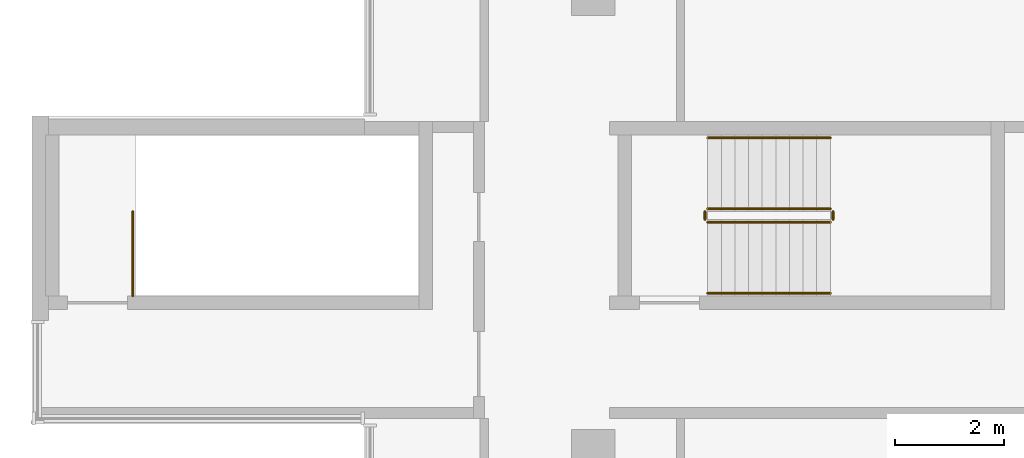
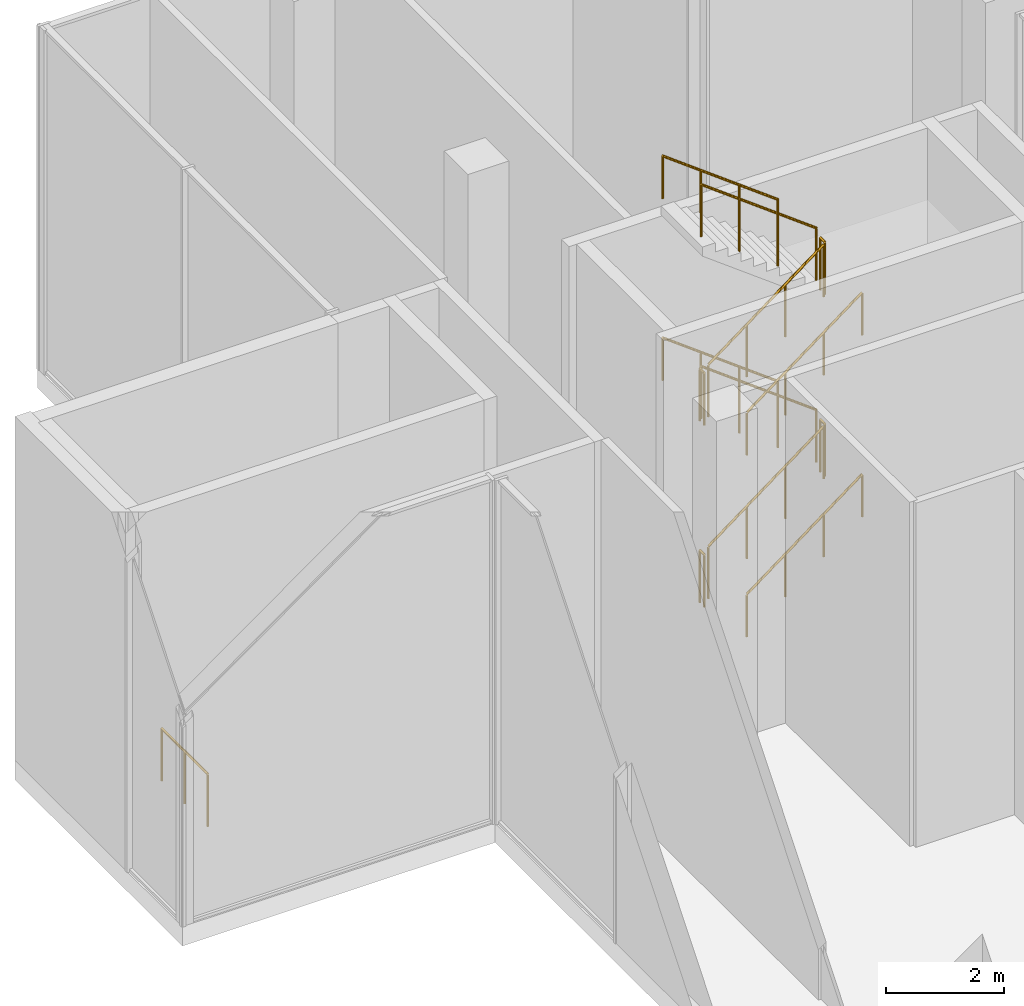
# One storey, part 12 of 13: 13 railings.
"""IFC4 building model written with IfcOpenShell, lengths in metres."""

import ifcopenshell
import ifcopenshell.guid

model = None  # the IFC model being written
_history = None  # IfcOwnerHistory: only IFC2X3 demands one
_inside = {}  # id of a spatial element -> (the spatial element, [elements in it])
_under = {}  # id of a project, library or spatial element -> (it, [spatial elements below it])
_declared = {}  # id of a project -> (the project, [libraries it declares])
_typed = {}  # id of a type object -> (the type object, [elements of that type])
_made_of = {}  # id of a material, layer set ... -> (it, [elements and type objects made of it])


def new_model(schema):
    """Start an empty IFC model of exactly this schema.

    Asked for "IFC4X3", IfcOpenShell would pick the latest addendum, in which some entities
    have other attributes; the version numbers below select the first issue.
    IFC2X3 requires an IfcOwnerHistory on every rooted entity: one is made here for all.
    """
    global model, _history
    if schema == "IFC4X3":
        model = ifcopenshell.file(schema_version=(4, 3, 0, 0))
    else:
        model = ifcopenshell.file(schema=schema)
    _inside.clear()
    _under.clear()
    _declared.clear()
    _typed.clear()
    _made_of.clear()
    _history = None
    if model.schema == "IFC2X3":
        org = make("IfcOrganization", Name="unknown")
        user = make(
            "IfcPersonAndOrganization",
            ThePerson=make("IfcPerson", FamilyName="unknown"),
            TheOrganization=org,
        )
        app = make(
            "IfcApplication",
            ApplicationDeveloper=org,
            Version="unknown",
            ApplicationFullName="unknown",
            ApplicationIdentifier="unknown",
        )
        _history = make(
            "IfcOwnerHistory",
            OwningUser=user,
            OwningApplication=app,
            ChangeAction="ADDED",
            CreationDate=0,
        )
    return model


def make(cls, **values):
    """One entity of the class cls with the attributes given. An attribute that is None is left unset."""
    return model.create_entity(
        cls, **{name: value for name, value in values.items() if value is not None}
    )


def rooted(cls, **values):
    """An entity with a GlobalId (a new one), such as an element, a storey or a relation."""
    return make(cls, GlobalId=ifcopenshell.guid.new(), OwnerHistory=_history, **values)


def si_unit(unit_type, name, prefix=None):
    """IfcSIUnit, for example si_unit("LENGTHUNIT", "METRE", prefix="MILLI")."""
    return make("IfcSIUnit", UnitType=unit_type, Prefix=prefix, Name=name)


def assignment(units):
    """IfcUnitAssignment: the units of a project."""
    return None if units is None else make("IfcUnitAssignment", Units=units)


def point(xyz):
    """IfcCartesianPoint."""
    return None if xyz is None else make("IfcCartesianPoint", Coordinates=xyz)


def direction(xyz):
    """IfcDirection."""
    return None if xyz is None else make("IfcDirection", DirectionRatios=xyz)


def frame(location, z_axis=None, x_axis=None):
    """IfcAxis2Placement3D, a coordinate frame: its origin and axes. An axis left out is left unset."""
    return make(
        "IfcAxis2Placement3D",
        Location=point(location),
        Axis=direction(z_axis),
        RefDirection=direction(x_axis),
    )


def frame_2d(location, x_axis=None):
    """IfcAxis2Placement2D, a coordinate frame in the plane: its origin and x axis."""
    return make(
        "IfcAxis2Placement2D", Location=point(location), RefDirection=direction(x_axis)
    )


def origin():
    """The frame at (0, 0, 0) with its axes left unset."""
    return frame((0.0, 0.0, 0.0))


def origin_2d():
    """The frame at (0, 0) in the plane with its x axis left unset."""
    return frame_2d((0.0, 0.0))


def place(relative_to, where):
    """IfcLocalPlacement: puts the frame where relative to a parent placement (None: the world)."""
    return make(
        "IfcLocalPlacement", PlacementRelTo=relative_to, RelativePlacement=where
    )


def context(
    kind, dimensions, precision=None, world=None, true_north=None, identifier=None
):
    """IfcGeometricRepresentationContext, for example the 3D "Model" context."""
    return make(
        "IfcGeometricRepresentationContext",
        ContextIdentifier=identifier,
        ContextType=kind,
        CoordinateSpaceDimension=dimensions,
        Precision=precision,
        WorldCoordinateSystem=world,
        TrueNorth=true_north,
    )


def subcontext(parent, identifier, kind, view, scale=None):
    """IfcGeometricRepresentationSubContext, for example "Body" below "Model"."""
    return make(
        "IfcGeometricRepresentationSubContext",
        ContextIdentifier=identifier,
        ContextType=kind,
        ParentContext=parent,
        TargetScale=scale,
        TargetView=view,
    )


def project(units=None, contexts=None):
    """IfcProject with its units and contexts."""
    return rooted(
        "IfcProject",
        Name="project",
        RepresentationContexts=contexts,
        UnitsInContext=assignment(units),
    )


def spatial(cls, under=None, at=None, **own):
    """A site, building, storey or space (cls), placed at a placement, below another one or the project."""
    s = rooted(cls, ObjectPlacement=at, **own)
    if under is not None:
        _under.setdefault(under.id(), (under, []))[1].append(s)
    return s


def profile(cls, at=None, kind="AREA", **sizes):
    """A parametric profile (cls). Its sizes go by their IFC names, for example OverallWidth=200.0."""
    return make(cls, ProfileType=kind, Position=at, **sizes)


def circle(**sizes):
    """IfcCircleProfileDef."""
    return profile("IfcCircleProfileDef", **sizes)


def extrude(swept, where, along, depth):
    """IfcExtrudedAreaSolid: the profile swept, set in the frame where, extruded along a direction by depth."""
    return make(
        "IfcExtrudedAreaSolid",
        SweptArea=swept,
        Position=where,
        ExtrudedDirection=direction(along),
        Depth=depth,
    )


def shape(context_of_items, identifier, shape_type, items):
    """IfcShapeRepresentation: the items that make up one representation, for example the "Body"."""
    return make(
        "IfcShapeRepresentation",
        ContextOfItems=context_of_items,
        RepresentationIdentifier=identifier,
        RepresentationType=shape_type,
        Items=items,
    )


def source(mapping_origin, context_of_items, identifier, shape_type, items):
    """IfcRepresentationMap: a shape defined once, which mapped items show again and again."""
    return make(
        "IfcRepresentationMap",
        MappingOrigin=mapping_origin,
        MappedRepresentation=shape(context_of_items, identifier, shape_type, items),
    )


def transform(
    local_origin,
    x_axis=None,
    y_axis=None,
    z_axis=None,
    scale=None,
    scale2=None,
    scale3=None,
    uniform=True,
):
    """IfcCartesianTransformationOperator3D, or its non-uniform kind. x_axis, y_axis, z_axis: its Axis1, 2, 3."""
    if uniform:
        return make(
            "IfcCartesianTransformationOperator3D",
            Axis1=direction(x_axis),
            Axis2=direction(y_axis),
            LocalOrigin=point(local_origin),
            Scale=scale,
            Axis3=direction(z_axis),
        )
    return make(
        "IfcCartesianTransformationOperator3DnonUniform",
        Axis1=direction(x_axis),
        Axis2=direction(y_axis),
        LocalOrigin=point(local_origin),
        Scale=scale,
        Axis3=direction(z_axis),
        Scale2=scale2,
        Scale3=scale3,
    )


def mapped(mapping_source, mapping_target):
    """IfcMappedItem: shows the shape of a source again, moved by a transform."""
    return make(
        "IfcMappedItem", MappingSource=mapping_source, MappingTarget=mapping_target
    )


def material(Name=None, Category=None):
    """IfcMaterial."""
    return make("IfcMaterial", Name=Name, Category=Category)


def made_of(thing, what):
    """Note that an element or type object is made of a material, layer set ...; save() writes the relation."""
    if what is not None:
        _made_of.setdefault(what.id(), (what, []))[1].append(thing)
    return thing


def type_object(cls, material=None, **own):
    """A type object (cls), such as IfcWallType, which elements share."""
    return made_of(rooted(cls, **own), material)


def element(
    cls,
    number,
    at=None,
    inside=None,
    cuts=None,
    type_object=None,
    material=None,
    context=None,
    identifier="Body",
    shape_type=None,
    held_by="IfcProductDefinitionShape",
    body=None,
    shapes=None,
    **own,
):
    """One element of the class cls, such as IfcWall. Its Tag is "e" and its number.

    at: its placement. inside: the storey or other place that contains it. cuts: it is an
    opening in that element (IfcRelVoidsElement). A single representation is given by context,
    identifier, shape_type and body (its items); several are given by shapes. held_by: the class
    of the entity that holds the representations. save() writes the other relations.
    """
    e = rooted(cls, Tag="e%d" % number, ObjectPlacement=at, **own)
    if body is not None:
        shapes = [shape(context, identifier, shape_type, body)]
    if shapes is not None:
        e.Representation = make(held_by, Representations=shapes)
    if inside is not None:
        _inside.setdefault(inside.id(), (inside, []))[1].append(e)
    if cuts is not None:
        rooted(
            "IfcRelVoidsElement", RelatingBuildingElement=cuts, RelatedOpeningElement=e
        )
    if type_object is not None:
        _typed.setdefault(type_object.id(), (type_object, []))[1].append(e)
    return made_of(e, material)


def aggregate(whole, parts):
    """IfcRelAggregates: a whole, such as a stair, and the parts it consists of."""
    return rooted("IfcRelAggregates", RelatingObject=whole, RelatedObjects=parts)


def save(model, path):
    """Write the relations noted so far, then the file.

    IfcRelAggregates (storeys below a building ...), IfcRelContainedInSpatialStructure (elements
    in a storey), IfcRelDefinesByType, IfcRelAssociatesMaterial and IfcRelDeclares: one each for
    every whole, place, type object, material and project.
    """
    for whole, parts in _under.values():
        aggregate(whole, parts)
    for where, things in _inside.values():
        rooted(
            "IfcRelContainedInSpatialStructure",
            RelatedElements=things,
            RelatingStructure=where,
        )
    for kind, things in _typed.values():
        rooted("IfcRelDefinesByType", RelatedObjects=things, RelatingType=kind)
    for what, things in _made_of.values():
        rooted("IfcRelAssociatesMaterial", RelatedObjects=things, RelatingMaterial=what)
    for by, libraries in _declared.values():
        rooted("IfcRelDeclares", RelatingContext=by, RelatedDefinitions=libraries)
    model.write(path)


model = new_model("IFC4")

# Units and contexts
model_context = context("Model", 3, precision=1e-05, world=origin(), true_north=direction((0.0, 1.0)))
body_context = subcontext(model_context, "Body", "Model", "MODEL_VIEW")
ifc_project = project(units=[si_unit("LENGTHUNIT", "METRE"), si_unit("AREAUNIT", "SQUARE_METRE"), si_unit("VOLUMEUNIT", "CUBIC_METRE"), si_unit("PLANEANGLEUNIT", "RADIAN"), si_unit("MASSUNIT", "GRAM", prefix="KILO")], contexts=[model_context])

# Site, building, storey
site_placement = place(None, origin())
site = spatial("IfcSite", under=ifc_project, at=site_placement, CompositionType="ELEMENT")
building_placement = place(site_placement, origin())
building = spatial("IfcBuilding", under=site, at=building_placement, Name="Aurelian Terraces", CompositionType="ELEMENT")
storey_placement = place(building_placement, frame((0.0, 0.0, 277.0)))
storey = spatial("IfcBuildingStorey", under=building, at=storey_placement, Name="L63", CompositionType="ELEMENT", Elevation=277.0)

# Railings
ifc_material = material(Name="Stainless steel", Category="steel")
railing_type_1 = type_object("IfcRailingType", Name="Stair guard 1100", PredefinedType="GUARDRAIL", material=ifc_material)
railing_placement = place(storey_placement, frame((2.05, 40.65, 0.0)))
element("IfcRailing", 1, at=railing_placement, inside=storey, type_object=railing_type_1, Name="L63 S3 top well guard 1", PredefinedType="GUARDRAIL", context=body_context, shape_type="SweptSolid", body=[
    extrude(circle(Radius=0.024, at=origin_2d()), frame((0.0, 0.0, 1.076), z_axis=(0.0, 1.0, 0.0), x_axis=(-1.0, 0.0, 0.0)), (0.0, 0.0, 1.0), 1.55),
    extrude(circle(Radius=0.021, at=origin_2d()), origin(), (0.0, 0.0, 1.0), 1.052),
    extrude(circle(Radius=0.021, at=origin_2d()), frame((0.0, 0.775, 0.0)), (0.0, 0.0, 1.0), 1.052),
    extrude(circle(Radius=0.021, at=origin_2d()), frame((0.0, 1.55, 0.0)), (0.0, 0.0, 1.0), 1.052),
])
shared_shape_1 = source(origin(), body_context, "Body", "SweptSolid", [
    extrude(circle(Radius=0.024, at=origin_2d()), frame((0.0, 0.0, 1.076), z_axis=(0.0, 1.0, 0.0), x_axis=(-1.0, 0.0, 0.0)), (0.0, 0.0, 1.0), 0.15),
    extrude(circle(Radius=0.021, at=origin_2d()), origin(), (0.0, 0.0, 1.0), 1.052),
    extrude(circle(Radius=0.021, at=origin_2d()), frame((0.0, 0.15, 0.0)), (0.0, 0.0, 1.0), 1.052),
])
for number, where, name in (
    (2, (14.9, 42.05, 1.875), "L63 S3U stair guard 2"),
    (3, (12.55, 42.05, 3.75), "L63 S3U stair guard 4"),
    (4, (14.9, 42.05, 5.625), "L63 S3U stair guard 6"),
    (5, (12.55, 42.05, 0.0), "L63 S3U stair guard 8"),
):
    element("IfcRailing", number, at=place(storey_placement, frame(where)), inside=storey, type_object=railing_type_1, Name=name, PredefinedType="GUARDRAIL", context=body_context, shape_type="MappedRepresentation", body=[
        mapped(shared_shape_1, transform((0.0, 0.0, 0.0), scale=1.0)),
    ])
shared_shape_2 = source(origin(), body_context, "Body", "SweptSolid", [
    extrude(circle(Radius=0.024, at=origin_2d()), frame((0.0, 0.0, 1.076), z_axis=(0.8, 0.0, 0.6), x_axis=(0.0, 1.0, 0.0)), (0.0, 0.0, 1.0), 2.8125),
    extrude(circle(Radius=0.021, at=origin_2d()), origin(), (0.0, 0.0, 1.0), 1.052),
    extrude(circle(Radius=0.021, at=origin_2d()), frame((0.75, 0.0, 0.5625)), (0.0, 0.0, 1.0), 1.052),
    extrude(circle(Radius=0.021, at=origin_2d()), frame((1.5, 0.0, 1.125)), (0.0, 0.0, 1.0), 1.052),
    extrude(circle(Radius=0.021, at=origin_2d()), frame((2.25, 0.0, 1.6875)), (0.0, 0.0, 1.0), 1.052),
])
for number, where, name in (
    (6, (12.6, 42.0, 0.1875), "L63 S3U stair guard 1"),
    (7, (12.6, 42.0, 3.9375), "L63 S3U stair guard 5"),
):
    element("IfcRailing", number, at=place(storey_placement, frame(where)), inside=storey, type_object=railing_type_1, Name=name, PredefinedType="GUARDRAIL", context=body_context, shape_type="MappedRepresentation", body=[
        mapped(shared_shape_2, transform((0.0, 0.0, 0.0), scale=1.0)),
    ])
shared_shape_3 = source(origin(), body_context, "Body", "SweptSolid", [
    extrude(circle(Radius=0.024, at=origin_2d()), frame((0.0, 0.0, 1.076), z_axis=(-0.8, 0.0, 0.6), x_axis=(0.0, -1.0, 0.0)), (0.0, 0.0, 1.0), 2.8125),
    extrude(circle(Radius=0.021, at=origin_2d()), origin(), (0.0, 0.0, 1.0), 1.052),
    extrude(circle(Radius=0.021, at=origin_2d()), frame((-0.75, 0.0, 0.5625)), (0.0, 0.0, 1.0), 1.052),
    extrude(circle(Radius=0.021, at=origin_2d()), frame((-1.5, 0.0, 1.125)), (0.0, 0.0, 1.0), 1.052),
    extrude(circle(Radius=0.021, at=origin_2d()), frame((-2.25, 0.0, 1.6875)), (0.0, 0.0, 1.0), 1.052),
])
for number, where, name in (
    (8, (14.85, 42.25, 2.0625), "L63 S3U stair guard 3"),
    (9, (14.85, 42.25, 5.8125), "L63 S3U stair guard 7"),
):
    element("IfcRailing", number, at=place(storey_placement, frame(where)), inside=storey, type_object=railing_type_1, Name=name, PredefinedType="GUARDRAIL", context=body_context, shape_type="MappedRepresentation", body=[
        mapped(shared_shape_3, transform((0.0, 0.0, 0.0), scale=1.0)),
    ])
railing_type_2 = type_object("IfcRailingType", Name="Stair handrail", PredefinedType="HANDRAIL", material=ifc_material)
shared_shape_4 = source(origin(), body_context, "Body", "SweptSolid", [
    extrude(circle(Radius=0.024, at=origin_2d()), frame((0.0, 0.0, 0.876), z_axis=(0.8, 0.0, 0.6), x_axis=(0.0, 1.0, 0.0)), (0.0, 0.0, 1.0), 2.8125),
    extrude(circle(Radius=0.021, at=origin_2d()), origin(), (0.0, 0.0, 1.0), 0.852),
    extrude(circle(Radius=0.021, at=origin_2d()), frame((0.75, 0.0, 0.5625)), (0.0, 0.0, 1.0), 0.852),
    extrude(circle(Radius=0.021, at=origin_2d()), frame((1.5, 0.0, 1.125)), (0.0, 0.0, 1.0), 0.852),
    extrude(circle(Radius=0.021, at=origin_2d()), frame((2.25, 0.0, 1.6875)), (0.0, 0.0, 1.0), 0.852),
])
for number, where, name in (
    (10, (12.6, 40.7, 0.1875), "L63 S3U stair handrail 1"),
    (11, (12.6, 40.7, 3.9375), "L63 S3U stair handrail 3"),
):
    element("IfcRailing", number, at=place(storey_placement, frame(where)), inside=storey, type_object=railing_type_2, Name=name, PredefinedType="HANDRAIL", context=body_context, shape_type="MappedRepresentation", body=[
        mapped(shared_shape_4, transform((0.0, 0.0, 0.0), scale=1.0)),
    ])
shared_shape_5 = source(origin(), body_context, "Body", "SweptSolid", [
    extrude(circle(Radius=0.024, at=origin_2d()), frame((0.0, 0.0, 0.876), z_axis=(-0.8, 0.0, 0.6), x_axis=(0.0, -1.0, 0.0)), (0.0, 0.0, 1.0), 2.8125),
    extrude(circle(Radius=0.021, at=origin_2d()), origin(), (0.0, 0.0, 1.0), 0.852),
    extrude(circle(Radius=0.021, at=origin_2d()), frame((-0.75, 0.0, 0.5625)), (0.0, 0.0, 1.0), 0.852),
    extrude(circle(Radius=0.021, at=origin_2d()), frame((-1.5, 0.0, 1.125)), (0.0, 0.0, 1.0), 0.852),
    extrude(circle(Radius=0.021, at=origin_2d()), frame((-2.25, 0.0, 1.6875)), (0.0, 0.0, 1.0), 0.852),
])
for number, where, name in (
    (12, (14.85, 43.55, 2.0625), "L63 S3U stair handrail 2"),
    (13, (14.85, 43.55, 5.8125), "L63 S3U stair handrail 4"),
):
    element("IfcRailing", number, at=place(storey_placement, frame(where)), inside=storey, type_object=railing_type_2, Name=name, PredefinedType="HANDRAIL", context=body_context, shape_type="MappedRepresentation", body=[
        mapped(shared_shape_5, transform((0.0, 0.0, 0.0), scale=1.0)),
    ])

save(model, "model.ifc")
